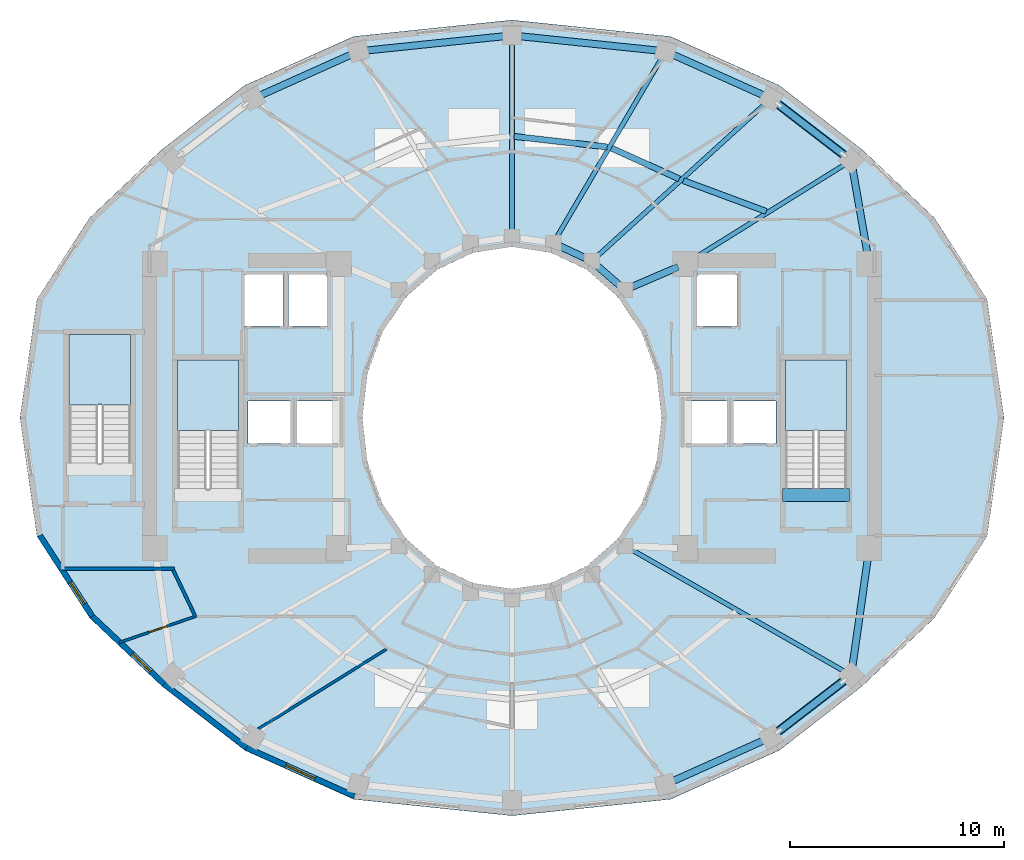
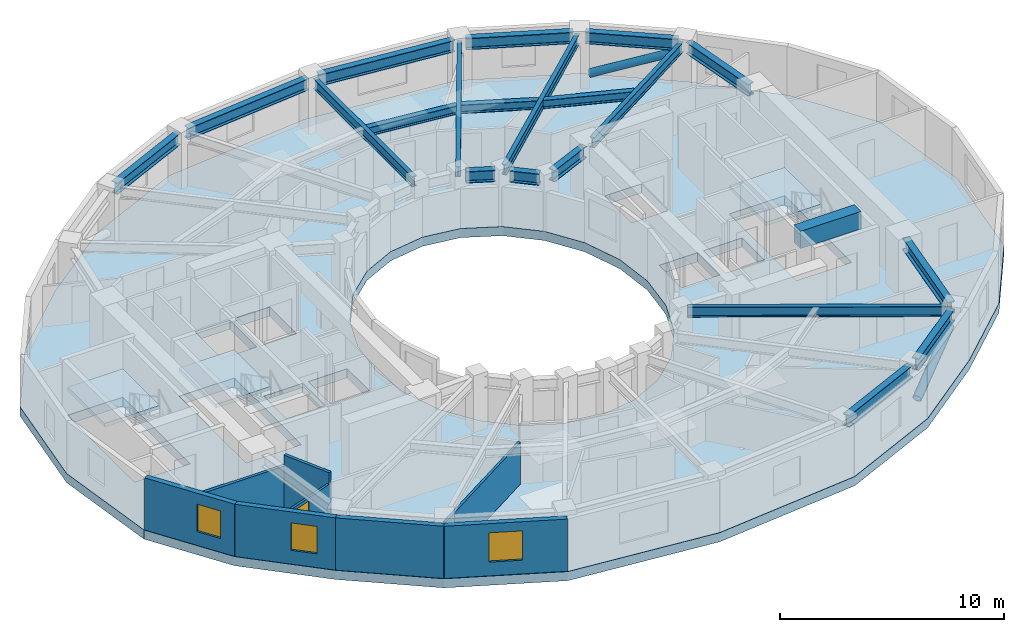
# One storey, part 2 of 9: 21 beams, 8 walls, 4 slabs, 3 windows, 2 members, 1 door, 4 openings, 3 elements without a shape of their own.
"""IFC4 building model written with IfcOpenShell, lengths in metres."""

import ifcopenshell
import ifcopenshell.guid

model = None  # the IFC model being written
_history = None  # IfcOwnerHistory: only IFC2X3 demands one
_inside = {}  # id of a spatial element -> (the spatial element, [elements in it])
_under = {}  # id of a project, library or spatial element -> (it, [spatial elements below it])
_declared = {}  # id of a project -> (the project, [libraries it declares])
_typed = {}  # id of a type object -> (the type object, [elements of that type])
_made_of = {}  # id of a material, layer set ... -> (it, [elements and type objects made of it])


def new_model(schema):
    """Start an empty IFC model of exactly this schema.

    Asked for "IFC4X3", IfcOpenShell would pick the latest addendum, in which some entities
    have other attributes; the version numbers below select the first issue.
    IFC2X3 requires an IfcOwnerHistory on every rooted entity: one is made here for all.
    """
    global model, _history
    if schema == "IFC4X3":
        model = ifcopenshell.file(schema_version=(4, 3, 0, 0))
    else:
        model = ifcopenshell.file(schema=schema)
    _inside.clear()
    _under.clear()
    _declared.clear()
    _typed.clear()
    _made_of.clear()
    _history = None
    if model.schema == "IFC2X3":
        org = make("IfcOrganization", Name="unknown")
        user = make(
            "IfcPersonAndOrganization",
            ThePerson=make("IfcPerson", FamilyName="unknown"),
            TheOrganization=org,
        )
        app = make(
            "IfcApplication",
            ApplicationDeveloper=org,
            Version="unknown",
            ApplicationFullName="unknown",
            ApplicationIdentifier="unknown",
        )
        _history = make(
            "IfcOwnerHistory",
            OwningUser=user,
            OwningApplication=app,
            ChangeAction="ADDED",
            CreationDate=0,
        )
    return model


def make(cls, **values):
    """One entity of the class cls with the attributes given. An attribute that is None is left unset."""
    return model.create_entity(
        cls, **{name: value for name, value in values.items() if value is not None}
    )


def rooted(cls, **values):
    """An entity with a GlobalId (a new one), such as an element, a storey or a relation."""
    return make(cls, GlobalId=ifcopenshell.guid.new(), OwnerHistory=_history, **values)


def si_unit(unit_type, name, prefix=None):
    """IfcSIUnit, for example si_unit("LENGTHUNIT", "METRE", prefix="MILLI")."""
    return make("IfcSIUnit", UnitType=unit_type, Prefix=prefix, Name=name)


def assignment(units):
    """IfcUnitAssignment: the units of a project."""
    return None if units is None else make("IfcUnitAssignment", Units=units)


def point(xyz):
    """IfcCartesianPoint."""
    return None if xyz is None else make("IfcCartesianPoint", Coordinates=xyz)


def direction(xyz):
    """IfcDirection."""
    return None if xyz is None else make("IfcDirection", DirectionRatios=xyz)


def frame(location, z_axis=None, x_axis=None):
    """IfcAxis2Placement3D, a coordinate frame: its origin and axes. An axis left out is left unset."""
    return make(
        "IfcAxis2Placement3D",
        Location=point(location),
        Axis=direction(z_axis),
        RefDirection=direction(x_axis),
    )


def frame_2d(location, x_axis=None):
    """IfcAxis2Placement2D, a coordinate frame in the plane: its origin and x axis."""
    return make(
        "IfcAxis2Placement2D", Location=point(location), RefDirection=direction(x_axis)
    )


def origin():
    """The frame at (0, 0, 0) with its axes left unset."""
    return frame((0.0, 0.0, 0.0))


def origin_2d():
    """The frame at (0, 0) in the plane with its x axis left unset."""
    return frame_2d((0.0, 0.0))


def place(relative_to, where):
    """IfcLocalPlacement: puts the frame where relative to a parent placement (None: the world)."""
    return make(
        "IfcLocalPlacement", PlacementRelTo=relative_to, RelativePlacement=where
    )


def context(
    kind, dimensions, precision=None, world=None, true_north=None, identifier=None
):
    """IfcGeometricRepresentationContext, for example the 3D "Model" context."""
    return make(
        "IfcGeometricRepresentationContext",
        ContextIdentifier=identifier,
        ContextType=kind,
        CoordinateSpaceDimension=dimensions,
        Precision=precision,
        WorldCoordinateSystem=world,
        TrueNorth=true_north,
    )


def subcontext(parent, identifier, kind, view, scale=None):
    """IfcGeometricRepresentationSubContext, for example "Body" below "Model"."""
    return make(
        "IfcGeometricRepresentationSubContext",
        ContextIdentifier=identifier,
        ContextType=kind,
        ParentContext=parent,
        TargetScale=scale,
        TargetView=view,
    )


def project(units=None, contexts=None):
    """IfcProject with its units and contexts."""
    return rooted(
        "IfcProject",
        Name="project",
        RepresentationContexts=contexts,
        UnitsInContext=assignment(units),
    )


def spatial(cls, under=None, at=None, **own):
    """A site, building, storey or space (cls), placed at a placement, below another one or the project."""
    s = rooted(cls, ObjectPlacement=at, **own)
    if under is not None:
        _under.setdefault(under.id(), (under, []))[1].append(s)
    return s


def polyline(points):
    """IfcPolyline through the points."""
    return make("IfcPolyline", Points=[point(p) for p in points])


def profile(cls, at=None, kind="AREA", **sizes):
    """A parametric profile (cls). Its sizes go by their IFC names, for example OverallWidth=200.0."""
    return make(cls, ProfileType=kind, Position=at, **sizes)


def rectangle(**sizes):
    """IfcRectangleProfileDef."""
    return profile("IfcRectangleProfileDef", **sizes)


def hollow_circle(**sizes):
    """IfcCircleHollowProfileDef."""
    return profile("IfcCircleHollowProfileDef", **sizes)


def i_section(**sizes):
    """IfcIShapeProfileDef."""
    return profile("IfcIShapeProfileDef", **sizes)


def outline(outer, holes=None, kind="AREA"):
    """IfcArbitraryClosedProfileDef: a profile drawn as a closed curve; with holes, ...WithVoids."""
    if holes is None:
        return make("IfcArbitraryClosedProfileDef", ProfileType=kind, OuterCurve=outer)
    return make(
        "IfcArbitraryProfileDefWithVoids",
        ProfileType=kind,
        OuterCurve=outer,
        InnerCurves=holes,
    )


def extrude(swept, where, along, depth):
    """IfcExtrudedAreaSolid: the profile swept, set in the frame where, extruded along a direction by depth."""
    return make(
        "IfcExtrudedAreaSolid",
        SweptArea=swept,
        Position=where,
        ExtrudedDirection=direction(along),
        Depth=depth,
    )


def shape(context_of_items, identifier, shape_type, items):
    """IfcShapeRepresentation: the items that make up one representation, for example the "Body"."""
    return make(
        "IfcShapeRepresentation",
        ContextOfItems=context_of_items,
        RepresentationIdentifier=identifier,
        RepresentationType=shape_type,
        Items=items,
    )


def material(Name=None, Category=None):
    """IfcMaterial."""
    return make("IfcMaterial", Name=Name, Category=Category)


def layer(
    of_material, thickness, ventilated=None, Name=None, Category=None, Priority=None
):
    """IfcMaterialLayer: one layer of a wall or slab, of a material (None: an air gap)."""
    return make(
        "IfcMaterialLayer",
        Material=of_material,
        LayerThickness=thickness,
        IsVentilated=ventilated,
        Name=Name,
        Category=Category,
        Priority=Priority,
    )


def layer_set(layers, Name=None):
    """IfcMaterialLayerSet."""
    return make("IfcMaterialLayerSet", MaterialLayers=layers, LayerSetName=Name)


def material_profile(
    of_material, cross_section, Name=None, Category=None, Priority=None
):
    """IfcMaterialProfile: a cross section and its material."""
    return make(
        "IfcMaterialProfile",
        Name=Name,
        Material=of_material,
        Profile=cross_section,
        Priority=Priority,
        Category=Category,
    )


def profile_set(profiles, Name=None, composite=None):
    """IfcMaterialProfileSet."""
    return make(
        "IfcMaterialProfileSet",
        Name=Name,
        MaterialProfiles=profiles,
        CompositeProfile=composite,
    )


def made_of(thing, what):
    """Note that an element or type object is made of a material, layer set ...; save() writes the relation."""
    if what is not None:
        _made_of.setdefault(what.id(), (what, []))[1].append(thing)
    return thing


def type_object(cls, material=None, **own):
    """A type object (cls), such as IfcWallType, which elements share."""
    return made_of(rooted(cls, **own), material)


def element(
    cls,
    number,
    at=None,
    inside=None,
    cuts=None,
    type_object=None,
    material=None,
    context=None,
    identifier="Body",
    shape_type=None,
    held_by="IfcProductDefinitionShape",
    body=None,
    shapes=None,
    **own,
):
    """One element of the class cls, such as IfcWall. Its Tag is "e" and its number.

    at: its placement. inside: the storey or other place that contains it. cuts: it is an
    opening in that element (IfcRelVoidsElement). A single representation is given by context,
    identifier, shape_type and body (its items); several are given by shapes. held_by: the class
    of the entity that holds the representations. save() writes the other relations.
    """
    e = rooted(cls, Tag="e%d" % number, ObjectPlacement=at, **own)
    if body is not None:
        shapes = [shape(context, identifier, shape_type, body)]
    if shapes is not None:
        e.Representation = make(held_by, Representations=shapes)
    if inside is not None:
        _inside.setdefault(inside.id(), (inside, []))[1].append(e)
    if cuts is not None:
        rooted(
            "IfcRelVoidsElement", RelatingBuildingElement=cuts, RelatedOpeningElement=e
        )
    if type_object is not None:
        _typed.setdefault(type_object.id(), (type_object, []))[1].append(e)
    return made_of(e, material)


def fill(opening, filler):
    """IfcRelFillsElement: the door or window that sits in an opening."""
    return rooted(
        "IfcRelFillsElement",
        RelatingOpeningElement=opening,
        RelatedBuildingElement=filler,
    )


def aggregate(whole, parts):
    """IfcRelAggregates: a whole, such as a stair, and the parts it consists of."""
    return rooted("IfcRelAggregates", RelatingObject=whole, RelatedObjects=parts)


def save(model, path):
    """Write the relations noted so far, then the file.

    IfcRelAggregates (storeys below a building ...), IfcRelContainedInSpatialStructure (elements
    in a storey), IfcRelDefinesByType, IfcRelAssociatesMaterial and IfcRelDeclares: one each for
    every whole, place, type object, material and project.
    """
    for whole, parts in _under.values():
        aggregate(whole, parts)
    for where, things in _inside.values():
        rooted(
            "IfcRelContainedInSpatialStructure",
            RelatedElements=things,
            RelatingStructure=where,
        )
    for kind, things in _typed.values():
        rooted("IfcRelDefinesByType", RelatedObjects=things, RelatingType=kind)
    for what, things in _made_of.values():
        rooted("IfcRelAssociatesMaterial", RelatedObjects=things, RelatingMaterial=what)
    for by, libraries in _declared.values():
        rooted("IfcRelDeclares", RelatingContext=by, RelatedDefinitions=libraries)
    model.write(path)


model = new_model("IFC4")

# Units and contexts
model_context = context("Model", 3, precision=1e-05, world=origin(), true_north=direction((0.0, 1.0)))
body_context = subcontext(model_context, "Body", "Model", "MODEL_VIEW")
ifc_project = project(units=[si_unit("LENGTHUNIT", "METRE"), si_unit("AREAUNIT", "SQUARE_METRE"), si_unit("VOLUMEUNIT", "CUBIC_METRE"), si_unit("PLANEANGLEUNIT", "RADIAN"), si_unit("MASSUNIT", "GRAM", prefix="KILO")], contexts=[model_context])

# Site, building, storey
site_placement = place(None, origin())
site = spatial("IfcSite", under=ifc_project, at=site_placement, CompositionType="ELEMENT")
building_placement = place(site_placement, origin())
building = spatial("IfcBuilding", under=site, at=building_placement, Name="Solvane Sanctuary Tower", CompositionType="ELEMENT")
storey_placement = place(building_placement, frame((0.0, 0.0, 143.60009765625)))
storey = spatial("IfcBuildingStorey", under=building, at=storey_placement, Name="L43", CompositionType="ELEMENT", Elevation=143.60009765625)

# Beams
ifc_material_1 = material(Name="Concrete C70/85", Category="concrete")
ifc_material_profile_1 = material_profile(ifc_material_1, rectangle(XDim=0.60009765625, YDim=0.949951171875, at=origin_2d()), Name="RC600X950")
ifc_profile_set_1 = profile_set([ifc_material_profile_1], Name="Concrete C70/85")
beam_type_1 = type_object("IfcBeamType", Name="Beam B-COUPLE RC600X950", PredefinedType="LINTEL", material=ifc_profile_set_1)
beam_1_placement = place(storey_placement, frame((44.64990234375, 19.399169921875, 2.625), z_axis=(1.0, 0.0, 0.0), x_axis=(0.0, 1.0, 0.0)))
element("IfcBeam", 1, at=beam_1_placement, inside=storey, type_object=beam_type_1, Name="L43 ST-2 Stair Floor Landing Trimmer", PredefinedType="LINTEL", context=body_context, shape_type="SweptSolid", body=[
    extrude(rectangle(XDim=0.60009765625, YDim=0.949951171875, at=origin_2d()), origin(), (0.0, 0.0, 1.0), 3.1201171875),
])
ifc_material_2 = material(Name="Steel ASTM A992 Grade 50", Category="steel")
ifc_material_profile_2 = material_profile(ifc_material_2, i_section(OverallWidth=0.214111328125, OverallDepth=0.549072265625, WebThickness=0.0146484375, FlangeThickness=0.023681640625, FilletRadius=0.014892578125, at=origin_2d()), Name="W21X93")
ifc_profile_set_2 = profile_set([ifc_material_profile_2], Name="Steel ASTM A992 Grade 50")
beam_type_2 = type_object("IfcBeamType", Name="Beam B-RAD-Z3 W21X93", PredefinedType="JOIST", material=ifc_profile_set_2)
beam_2_placement = place(storey_placement, frame((40.405517578125, 30.390380859375, 2.603515625), z_axis=(0.84882685523, 0.528670946658, 0.0), x_axis=(-0.528670946658, 0.84882685523, 0.0)))
element("IfcBeam", 2, at=beam_2_placement, inside=storey, type_object=beam_type_2, Name="L43 Radial Composite Floor Beam 01", PredefinedType="JOIST", context=body_context, shape_type="SweptSolid", body=[
    extrude(i_section(OverallWidth=0.214111328125, OverallDepth=0.549072265625, WebThickness=0.0146484375, FlangeThickness=0.023681640625, FilletRadius=0.014892578125, at=origin_2d()), origin(), (0.0, 0.0, 1.0), 8.498046875),
])
beam_3_placement = place(storey_placement, frame((35.937255859375, 30.514892578125, 2.603515625), z_axis=(0.74020423772, 0.672382098558, 0.0), x_axis=(-0.672382098558, 0.74020423772, 0.0)))
element("IfcBeam", 3, at=beam_3_placement, inside=storey, type_object=beam_type_2, Name="L43 Radial Composite Floor Beam 02", PredefinedType="JOIST", context=body_context, shape_type="SweptSolid", body=[
    extrude(i_section(OverallWidth=0.214111328125, OverallDepth=0.549072265625, WebThickness=0.0146484375, FlangeThickness=0.023681640625, FilletRadius=0.014892578125, at=origin_2d()), origin(), (0.0, 0.0, 1.0), 10.7451171875),
])
beam_4_placement = place(storey_placement, frame((34.072265625, 31.413330078125, 2.603515625), z_axis=(0.505243742555, 0.862976686017, 0.0), x_axis=(-0.862976686017, 0.505243742555, 0.0)))
element("IfcBeam", 4, at=beam_4_placement, inside=storey, type_object=beam_type_2, Name="L43 Radial Composite Floor Beam 03", PredefinedType="JOIST", context=body_context, shape_type="SweptSolid", body=[
    extrude(i_section(OverallWidth=0.214111328125, OverallDepth=0.549072265625, WebThickness=0.0146484375, FlangeThickness=0.023681640625, FilletRadius=0.014892578125, at=origin_2d()), origin(), (0.0, 0.0, 1.0), 9.826171875),
])
beam_5_placement = place(storey_placement, frame((32.0, 31.739990234375, 2.603515625), z_axis=(0.0, 1.0, 0.0), x_axis=(-1.0, 0.0, 0.0)))
element("IfcBeam", 5, at=beam_5_placement, inside=storey, type_object=beam_type_2, Name="L43 Radial Composite Floor Beam 04", PredefinedType="JOIST", context=body_context, shape_type="SweptSolid", body=[
    extrude(i_section(OverallWidth=0.214111328125, OverallDepth=0.549072265625, WebThickness=0.0146484375, FlangeThickness=0.023681640625, FilletRadius=0.014892578125, at=origin_2d()), origin(), (0.0, 0.0, 1.0), 8.860107421875),
])
beam_6_placement = place(storey_placement, frame((37.51806640625, 16.87890625, 2.603515625), z_axis=(0.86816302692, -0.496279113694, 0.0), x_axis=(0.496279113694, 0.86816302692, 0.0)))
element("IfcBeam", 6, at=beam_6_placement, inside=storey, type_object=beam_type_2, Name="L43 Radial Composite Floor Beam 14", PredefinedType="JOIST", context=body_context, shape_type="SweptSolid", body=[
    extrude(i_section(OverallWidth=0.214111328125, OverallDepth=0.549072265625, WebThickness=0.0146484375, FlangeThickness=0.023681640625, FilletRadius=0.014892578125, at=origin_2d()), origin(), (0.0, 0.0, 1.0), 11.62841796875),
])
ifc_material_profile_3 = material_profile(ifc_material_2, i_section(OverallWidth=0.324951171875, OverallDepth=0.615966796875, WebThickness=0.013916015625, FlangeThickness=0.021484375, FilletRadius=0.01611328125, at=origin_2d()), Name="W24X117")
ifc_profile_set_3 = profile_set([ifc_material_profile_3], Name="Steel ASTM A992 Grade 50")
beam_type_3 = type_object("IfcBeamType", Name="Beam B-RING-IN2 W24X117", PredefinedType="BEAM", material=ifc_profile_set_3)
beam_7_placement = place(storey_placement, frame((34.2431640625, 31.02490234375, 2.56982421875), z_axis=(0.9051808128, -0.425026700502, 0.0), x_axis=(0.425026700502, 0.9051808128, 0.0)))
element("IfcBeam", 7, at=beam_7_placement, inside=storey, type_object=beam_type_3, Name="L43 Inner Light-Well Ring Beam IC03-IC02", PredefinedType="BEAM", context=body_context, shape_type="SweptSolid", body=[
    extrude(i_section(OverallWidth=0.324951171875, OverallDepth=0.615966796875, WebThickness=0.013916015625, FlangeThickness=0.021484375, FilletRadius=0.01611328125, at=origin_2d()), origin(), (0.0, 0.0, 1.0), 1.297607421875),
])
beam_8_placement = place(storey_placement, frame((35.990234375, 30.10009765625, 2.56982421875), z_axis=(0.754311313851, -0.656516901379, 0.0), x_axis=(0.656516901379, 0.754311313851, 0.0)))
element("IfcBeam", 8, at=beam_8_placement, inside=storey, type_object=beam_type_3, Name="L43 Inner Light-Well Ring Beam IC02-IC01", PredefinedType="BEAM", context=body_context, shape_type="SweptSolid", body=[
    extrude(i_section(OverallWidth=0.324951171875, OverallDepth=0.615966796875, WebThickness=0.013916015625, FlangeThickness=0.021484375, FilletRadius=0.01611328125, at=origin_2d()), origin(), (0.0, 0.0, 1.0), 1.358154296875),
])
beam_9_placement = place(storey_placement, frame((37.591796875, 29.11865234375, 2.56982421875), z_axis=(0.918264067649, 0.395968561966, 0.0), x_axis=(-0.395968561966, 0.918264067649, 0.0)))
element("IfcBeam", 9, at=beam_9_placement, inside=storey, type_object=beam_type_3, Name="L43 Inner Light-Well Ring Beam IC01-CE4", PredefinedType="BEAM", context=body_context, shape_type="SweptSolid", body=[
    extrude(i_section(OverallWidth=0.324951171875, OverallDepth=0.615966796875, WebThickness=0.013916015625, FlangeThickness=0.021484375, FilletRadius=0.01611328125, at=origin_2d()), origin(), (0.0, 0.0, 1.0), 2.371337890625),
])
ifc_material_profile_4 = material_profile(ifc_material_2, i_section(OverallWidth=0.280029296875, OverallDepth=0.462890625, WebThickness=0.0107421875, FlangeThickness=0.017333984375, FilletRadius=0.013916015625, at=origin_2d()), Name="W18X76")
ifc_profile_set_4 = profile_set([ifc_material_profile_4], Name="Steel ASTM A992 Grade 50")
beam_type_4 = type_object("IfcBeamType", Name="Beam B-SEC-JOIST W18X76", PredefinedType="JOIST", material=ifc_profile_set_4)
beam_10_placement = place(storey_placement, frame((32.101318359375, 36.158447265625, 2.646484375), z_axis=(0.993621305354, -0.112768353477, 0.0), x_axis=(0.112768353477, 0.993621305354, 0.0)))
element("IfcBeam", 10, at=beam_10_placement, inside=storey, type_object=beam_type_4, Name="L43 Secondary Circumferential Joist 04-03", PredefinedType="JOIST", context=body_context, shape_type="SweptSolid", body=[
    extrude(i_section(OverallWidth=0.280029296875, OverallDepth=0.462890625, WebThickness=0.0107421875, FlangeThickness=0.017333984375, FilletRadius=0.013916015625, at=origin_2d()), origin(), (0.0, 0.0, 1.0), 4.379638671875),
])
beam_11_placement = place(storey_placement, frame((36.6474609375, 35.61083984375, 2.646484375), z_axis=(0.91050074995, -0.413507417516, 0.0), x_axis=(0.413507417516, 0.91050074995, 0.0)))
element("IfcBeam", 11, at=beam_11_placement, inside=storey, type_object=beam_type_4, Name="L43 Secondary Circumferential Joist 03-02", PredefinedType="JOIST", context=body_context, shape_type="SweptSolid", body=[
    extrude(i_section(OverallWidth=0.280029296875, OverallDepth=0.462890625, WebThickness=0.0107421875, FlangeThickness=0.017333984375, FilletRadius=0.013916015625, at=origin_2d()), origin(), (0.0, 0.0, 1.0), 3.48583984375),
])
beam_12_placement = place(storey_placement, frame((40.009765625, 34.091796875, 2.646484375), z_axis=(0.937258220662, -0.34863595311, 0.0), x_axis=(0.34863595311, 0.937258220662, 0.0)))
element("IfcBeam", 12, at=beam_12_placement, inside=storey, type_object=beam_type_4, Name="L43 Secondary Circumferential Joist 02-01", PredefinedType="JOIST", context=body_context, shape_type="SweptSolid", body=[
    extrude(i_section(OverallWidth=0.280029296875, OverallDepth=0.462890625, WebThickness=0.0107421875, FlangeThickness=0.017333984375, FilletRadius=0.013916015625, at=origin_2d()), origin(), (0.0, 0.0, 1.0), 4.13232421875),
])
ifc_material_profile_5 = material_profile(ifc_material_2, i_section(OverallWidth=0.327880859375, OverallDepth=0.6279296875, WebThickness=0.0166015625, FlangeThickness=0.027587890625, FilletRadius=0.01611328125, at=origin_2d()), Name="W24X146")
ifc_profile_set_5 = profile_set([ifc_material_profile_5], Name="Steel ASTM A992 Grade 50")
beam_type_5 = type_object("IfcBeamType", Name="Beam B-SPAND-Z3 W24X146", PredefinedType="SPANDREL", material=ifc_profile_set_5)
beam_13_placement = place(storey_placement, frame((20.157470703125, 38.04248046875, 2.56396484375), z_axis=(0.912414349424, 0.409267705744, 0.0), x_axis=(-0.409267705744, 0.912414349424, 0.0)))
element("IfcBeam", 13, at=beam_13_placement, inside=storey, type_object=beam_type_5, Name="L43 Perimeter Spandrel Beam TC06-TC05", PredefinedType="SPANDREL", context=body_context, shape_type="SweptSolid", body=[
    extrude(i_section(OverallWidth=0.327880859375, OverallDepth=0.6279296875, WebThickness=0.0166015625, FlangeThickness=0.027587890625, FilletRadius=0.01611328125, at=origin_2d()), origin(), (0.0, 0.0, 1.0), 4.831787109375),
])
for number, where, z_axis, x_axis, name in (
    (14, (25.10009765625, 40.16357421875, 2.56396484375), (0.994652761118, 0.103275770632, 0.0), (-0.103275770632, 0.994652761118, 0.0), "L43 Perimeter Spandrel Beam TC05-TC04"),
    (15, (32.278564453125, 40.85107421875, 2.56396484375), (0.994652761118, -0.103275770632, 0.0), (0.103275770632, 0.994652761118, 0.0), "L43 Perimeter Spandrel Beam TC04-TC03"),
):
    element("IfcBeam", number, at=place(storey_placement, frame(where, z_axis=z_axis, x_axis=x_axis)), inside=storey, type_object=beam_type_5, Name=name, PredefinedType="SPANDREL", context=body_context, shape_type="SweptSolid", body=[
        extrude(i_section(OverallWidth=0.327880859375, OverallDepth=0.6279296875, WebThickness=0.0166015625, FlangeThickness=0.027587890625, FilletRadius=0.01611328125, at=origin_2d()), origin(), (0.0, 0.0, 1.0), 6.656982421875),
    ])
beam_14_placement = place(storey_placement, frame((39.433837890625, 40.02001953125, 2.56396484375), z_axis=(0.912414349424, -0.409267705744, 0.0), x_axis=(0.409267705744, 0.912414349424, 0.0)))
element("IfcBeam", 16, at=beam_14_placement, inside=storey, type_object=beam_type_5, Name="L43 Perimeter Spandrel Beam TC03-TC02", PredefinedType="SPANDREL", context=body_context, shape_type="SweptSolid", body=[
    extrude(i_section(OverallWidth=0.327880859375, OverallDepth=0.6279296875, WebThickness=0.0166015625, FlangeThickness=0.027587890625, FilletRadius=0.01611328125, at=origin_2d()), origin(), (0.0, 0.0, 1.0), 4.831787109375),
])
beam_15_placement = place(storey_placement, frame((44.31982421875, 37.757080078125, 2.56396484375), z_axis=(0.792020773873, -0.610494139001, 0.0), x_axis=(0.610494139001, 0.792020773873, 0.0)))
element("IfcBeam", 17, at=beam_15_placement, inside=storey, type_object=beam_type_5, Name="L43 Perimeter Spandrel Beam TC02-TC01", PredefinedType="SPANDREL", context=body_context, shape_type="SweptSolid", body=[
    extrude(i_section(OverallWidth=0.327880859375, OverallDepth=0.6279296875, WebThickness=0.0166015625, FlangeThickness=0.027587890625, FilletRadius=0.01611328125, at=origin_2d()), origin(), (0.0, 0.0, 1.0), 4.185302734375),
])
beam_16_placement = place(storey_placement, frame((47.90478515625, 34.75537109375, 2.56396484375), z_axis=(0.171967263087, -0.985102664917, 0.0), x_axis=(0.985102664917, 0.171967263087, 0.0)))
element("IfcBeam", 18, at=beam_16_placement, inside=storey, type_object=beam_type_5, Name="L43 Perimeter Spandrel Beam TC01-CE3", PredefinedType="SPANDREL", context=body_context, shape_type="SweptSolid", body=[
    extrude(i_section(OverallWidth=0.327880859375, OverallDepth=0.6279296875, WebThickness=0.0166015625, FlangeThickness=0.027587890625, FilletRadius=0.01611328125, at=origin_2d()), origin(), (0.0, 0.0, 1.0), 4.34423828125),
])
beam_17_placement = place(storey_placement, frame((39.433837890625, 5.97998046875, 2.56396484375), z_axis=(0.912414349424, 0.409267705744, 0.0), x_axis=(-0.409267705744, 0.912414349424, 0.0)))
element("IfcBeam", 19, at=beam_17_placement, inside=storey, type_object=beam_type_5, Name="L43 Perimeter Spandrel Beam TC12-TC13", PredefinedType="SPANDREL", context=body_context, shape_type="SweptSolid", body=[
    extrude(i_section(OverallWidth=0.327880859375, OverallDepth=0.6279296875, WebThickness=0.0166015625, FlangeThickness=0.027587890625, FilletRadius=0.01611328125, at=origin_2d()), origin(), (0.0, 0.0, 1.0), 4.831787109375),
])
beam_18_placement = place(storey_placement, frame((44.31982421875, 8.242919921875, 2.56396484375), z_axis=(0.792020773873, 0.610494139001, 0.0), x_axis=(-0.610494139001, 0.792020773873, 0.0)))
element("IfcBeam", 20, at=beam_18_placement, inside=storey, type_object=beam_type_5, Name="L43 Perimeter Spandrel Beam TC13-TC14", PredefinedType="SPANDREL", context=body_context, shape_type="SweptSolid", body=[
    extrude(i_section(OverallWidth=0.327880859375, OverallDepth=0.6279296875, WebThickness=0.0166015625, FlangeThickness=0.027587890625, FilletRadius=0.01611328125, at=origin_2d()), origin(), (0.0, 0.0, 1.0), 4.185302734375),
])
beam_19_placement = place(storey_placement, frame((47.89599609375, 11.24609375, 2.56396484375), z_axis=(0.140798255486, 0.990038307972, 0.0), x_axis=(-0.990038307972, 0.140798255486, 0.0)))
element("IfcBeam", 21, at=beam_19_placement, inside=storey, type_object=beam_type_5, Name="L43 Perimeter Spandrel Beam TC14-CE2", PredefinedType="SPANDREL", context=body_context, shape_type="SweptSolid", body=[
    extrude(i_section(OverallWidth=0.327880859375, OverallDepth=0.6279296875, WebThickness=0.0166015625, FlangeThickness=0.027587890625, FilletRadius=0.01611328125, at=origin_2d()), origin(), (0.0, 0.0, 1.0), 5.430908203125),
])

# Members
ifc_material_profile_6 = material_profile(ifc_material_2, hollow_circle(Radius=0.202880859375, WallThickness=0.012451171875, at=origin_2d()), Name="CHS406X12.5")
ifc_profile_set_6 = profile_set([ifc_material_profile_6], Name="Steel ASTM A992 Grade 50")
member_type = type_object("IfcMemberType", Name="Member M-TUBE-Z3 CHS406X12.5", PredefinedType="BRACE", material=ifc_profile_set_6)
for number, where, z_axis, x_axis, name in (
    (22, (44.465087890625, 37.645263671875, 0.5625), (0.73686018058, -0.568005062922, 0.366616042707), (0.610513708364, 0.792005689311, 0.0), "L43 Perimeter Braced-Tube Diagonal NE"),
    (23, (44.465087890625, 8.354736328125, 0.5625), (0.73686018058, 0.568005062922, 0.366616042707), (-0.610513708364, 0.792005689311, 0.0), "L43 Perimeter Braced-Tube Diagonal SE"),
):
    element("IfcMember", number, at=place(storey_placement, frame(where, z_axis=z_axis, x_axis=x_axis)), inside=storey, type_object=member_type, Name=name, PredefinedType="BRACE", context=body_context, shape_type="SweptSolid", body=[
        extrude(hollow_circle(Radius=0.202880859375, WallThickness=0.012451171875, at=origin_2d()), origin(), (0.0, 0.0, 1.0), 4.104736328125),
    ])

# Stair, slab
ifc_material_3 = material(Name="Concrete C45/55", Category="concrete")
stair_type = type_object("IfcStairType", Name="Stair ST-TOW", PredefinedType="HALF_TURN_STAIR", material=ifc_material_3)
stair_1_placement = place(storey_placement, origin())
stair_1 = element("IfcStair", 24, at=stair_1_placement, inside=storey, type_object=stair_type, Name="L43 Exit Stair ST-1 West Core", PredefinedType="HALF_TURN_STAIR")
ifc_layer_1 = layer(ifc_material_3, 0.199951171875, Name="Concrete C45/55")
ifc_layer_set_1 = layer_set([ifc_layer_1], Name="Concrete C45/55")
slab_type_1 = type_object("IfcSlabType", Name="Slab SL-LAND-180", PredefinedType="LANDING", material=ifc_layer_set_1)
slab_1_placement = place(storey_placement, frame((0.0, 0.0, 1.349853515625)))
slab_1 = element("IfcSlab", 25, at=slab_1_placement, type_object=slab_type_1, Name="ST-1 landing 1", PredefinedType="LANDING", context=body_context, shape_type="SweptSolid", body=[
    extrude(outline(polyline([(19.219970703125, 22.39990234375), (19.219970703125, 25.699951171875), (16.360107421875, 25.699951171875), (16.360107421875, 22.39990234375), (19.219970703125, 22.39990234375)])), origin(), (0.0, 0.0, 1.0), 0.199951171875),
])
aggregate(stair_1, [slab_1])

stair_2_placement = place(storey_placement, origin())
stair_2 = element("IfcStair", 26, at=stair_2_placement, inside=storey, type_object=stair_type, Name="L43 Exit Stair ST-2 East Core", PredefinedType="HALF_TURN_STAIR")
slab_2_placement = place(storey_placement, frame((0.0, 0.0, 1.349853515625)))
slab_2 = element("IfcSlab", 27, at=slab_2_placement, type_object=slab_type_1, Name="ST-2 landing 1", PredefinedType="LANDING", context=body_context, shape_type="SweptSolid", body=[
    extrude(outline(polyline([(47.639892578125, 22.39990234375), (47.639892578125, 25.699951171875), (44.780029296875, 25.699951171875), (44.780029296875, 22.39990234375), (47.639892578125, 22.39990234375)])), origin(), (0.0, 0.0, 1.0), 0.199951171875),
])
aggregate(stair_2, [slab_2])

stair_3_placement = place(storey_placement, origin())
stair_3 = element("IfcStair", 28, at=stair_3_placement, inside=storey, type_object=stair_type, Name="L43 Exit Stair ST-3 Pilgrim Tower Stair", PredefinedType="HALF_TURN_STAIR")
slab_3_placement = place(storey_placement, frame((0.0, 0.0, 1.349853515625)))
slab_3 = element("IfcSlab", 29, at=slab_3_placement, type_object=slab_type_1, Name="ST-3 landing 1", PredefinedType="LANDING", context=body_context, shape_type="SweptSolid", body=[
    extrude(outline(polyline([(14.159912109375, 23.60009765625), (14.159912109375, 26.89990234375), (11.300048828125, 26.89990234375), (11.300048828125, 23.60009765625), (14.159912109375, 23.60009765625)])), origin(), (0.0, 0.0, 1.0), 0.199951171875),
])
aggregate(stair_3, [slab_3])

# Slab
ifc_material_4 = material(Name="Concrete C60/75", Category="concrete")
ifc_layer_2 = layer(ifc_material_4, 0.5, Name="Concrete C60/75")
ifc_layer_set_2 = layer_set([ifc_layer_2], Name="Concrete C60/75")
slab_type_2 = type_object("IfcSlabType", Name="Slab SL-XFER-500", PredefinedType="FLOOR", material=ifc_layer_set_2)
slab_4_placement = place(storey_placement, frame((0.0, 0.0, -0.5)))
element("IfcSlab", 30, at=slab_4_placement, inside=storey, type_object=slab_type_2, Name="L43 Primary Structural Slab", PredefinedType="FLOOR", context=body_context, shape_type="SweptSolid", body=[
    extrude(outline(polyline([(55.0, 23.0), (54.205322265625, 28.54150390625), (51.7392578125, 32.360107421875), (48.368896484375, 35.54345703125), (44.489013671875, 38.5458984375), (39.410400390625, 40.82958984375), (32.0, 41.60009765625), (24.589599609375, 40.82958984375), (19.510986328125, 38.5458984375), (15.631103515625, 35.54345703125), (12.2607421875, 32.360107421875), (9.794677734375, 28.54150390625), (9.0, 23.0), (9.794677734375, 17.45849609375), (12.2607421875, 13.639892578125), (15.631103515625, 10.45654296875), (19.510986328125, 7.4541015625), (24.589599609375, 5.17041015625), (32.0, 4.39990234375), (39.410400390625, 5.17041015625), (44.489013671875, 7.4541015625), (48.368896484375, 10.45654296875), (51.7392578125, 13.639892578125), (54.205322265625, 17.45849609375), (55.0, 23.0)]), holes=[polyline([(38.761474609375, 20.929443359375), (38.062255859375, 19.0), (36.94970703125, 17.343017578125), (35.5, 16.07177734375), (33.811767578125, 15.272705078125), (32.0, 15.0), (30.188232421875, 15.272705078125), (28.5, 16.07177734375), (27.05029296875, 17.343017578125), (25.937744140625, 19.0), (25.238525390625, 20.929443359375), (25.0, 23.0), (25.238525390625, 25.070556640625), (25.937744140625, 27.0), (27.05029296875, 28.656982421875), (28.5, 29.92822265625), (30.188232421875, 30.727294921875), (32.0, 31.0), (33.811767578125, 30.727294921875), (35.5, 29.92822265625), (36.94970703125, 28.656982421875), (38.062255859375, 27.0), (38.761474609375, 25.070556640625), (39.0, 23.0), (38.761474609375, 20.929443359375)]), polyline([(16.360107421875, 19.699951171875), (16.360107421875, 25.699951171875), (19.219970703125, 25.699951171875), (19.219970703125, 19.699951171875), (16.360107421875, 19.699951171875)]), polyline([(44.780029296875, 19.699951171875), (44.780029296875, 25.699951171875), (47.639892578125, 25.699951171875), (47.639892578125, 19.699951171875), (44.780029296875, 19.699951171875)]), polyline([(11.300048828125, 20.89990234375), (11.300048828125, 26.89990234375), (14.159912109375, 26.89990234375), (14.159912109375, 20.89990234375), (11.300048828125, 20.89990234375)]), polyline([(19.64990234375, 23.800048828125), (21.64990234375, 23.800048828125), (21.64990234375, 21.800048828125), (19.64990234375, 21.800048828125), (19.64990234375, 23.800048828125)]), polyline([(42.35009765625, 23.800048828125), (44.35009765625, 23.800048828125), (44.35009765625, 21.800048828125), (42.35009765625, 21.800048828125), (42.35009765625, 23.800048828125)]), polyline([(21.949951171875, 23.800048828125), (23.949951171875, 23.800048828125), (23.949951171875, 21.800048828125), (21.949951171875, 21.800048828125), (21.949951171875, 23.800048828125)]), polyline([(40.050048828125, 23.800048828125), (42.050048828125, 23.800048828125), (42.050048828125, 21.800048828125), (40.050048828125, 21.800048828125), (40.050048828125, 23.800048828125)]), polyline([(19.5, 29.699951171875), (21.300048828125, 29.699951171875), (21.300048828125, 27.300048828125), (19.5, 27.300048828125), (19.5, 29.699951171875)]), polyline([(21.550048828125, 29.699951171875), (23.35009765625, 29.699951171875), (23.35009765625, 27.300048828125), (21.550048828125, 27.300048828125), (21.550048828125, 29.699951171875)]), polyline([(40.64990234375, 29.699951171875), (42.550048828125, 29.699951171875), (42.550048828125, 27.300048828125), (40.64990234375, 27.300048828125), (40.64990234375, 29.699951171875)])]), origin(), (0.0, 0.0, 1.0), 0.5),
])

# Walls
ifc_material_5 = material(Name="Acoustic Gypsum Partition Board")
ifc_layer_3 = layer(ifc_material_5, 0.14990234375, Name="Acoustic Gypsum Partition Board")
ifc_layer_set_3 = layer_set([ifc_layer_3], Name="Acoustic Gypsum Partition Board")
wall_type_1 = type_object("IfcWallType", Name="Wall W-CORR-150", PredefinedType="PARTITIONING", material=ifc_layer_set_3)
wall_1_placement = place(storey_placement, frame((10.9599609375, 15.949951171875, 0.0), z_axis=(0.0, 0.0, 1.0), x_axis=(1.0, 0.0, 0.0)))
element("IfcWall", 31, at=wall_1_placement, inside=storey, type_object=wall_type_1, Name="L43 SW Corner Closer 3", PredefinedType="PARTITIONING", context=body_context, shape_type="SweptSolid", body=[
    extrude(rectangle(XDim=5.260009765625, YDim=0.14990234375, at=frame_2d((2.6298828125, 0.0))), origin(), (0.0, 0.0, 1.0), 2.219970703125),
])
wall_2_placement = place(storey_placement, frame((17.2216796875, 13.6748046875, 0.0), z_axis=(0.0, 0.0, 1.0), x_axis=(-0.431973389813, 0.901886351207, 0.0)))
element("IfcWall", 32, at=wall_2_placement, inside=storey, type_object=wall_type_1, Name="L43 SW Corner Wing Wall", PredefinedType="PARTITIONING", context=body_context, shape_type="SweptSolid", body=[
    extrude(rectangle(XDim=2.45166015625, YDim=0.14990234375, at=frame_2d((1.225830078125, 0.0))), origin(), (0.0, 0.0, 1.0), 2.85498046875),
])

# Wall, opening, window
ifc_material_6 = material(Name="Precast concrete C40/50", Category="concrete")
ifc_layer_4 = layer(ifc_material_6, 0.260009765625, Name="Precast concrete C40/50")
ifc_layer_set_4 = layer_set([ifc_layer_4], Name="Precast concrete C40/50")
wall_type_2 = type_object("IfcWallType", Name="Wall W-EXT-250", PredefinedType="STANDARD", material=ifc_layer_set_4)
wall_3_placement = place(storey_placement, frame((9.9296875, 17.50341796875, 0.0), z_axis=(0.0, 0.0, 1.0), x_axis=(0.543358984534, -0.839500454989, 0.0)))
wall_3 = element("IfcWall", 33, at=wall_3_placement, inside=storey, type_object=wall_type_2, Name="L43 Ceramic-Printed Facade Wall 13", PredefinedType="STANDARD", context=body_context, shape_type="SweptSolid", body=[
    extrude(rectangle(XDim=4.51123046875, YDim=0.260009765625, at=frame_2d((2.255615234375, 0.0))), origin(), (0.0, 0.0, 1.0), 2.849853515625),
])
opening_1_placement = place(wall_3_placement, frame((2.615478515625, 0.0, 0.75)))
opening_1 = element("IfcOpeningElement", 34, at=opening_1_placement, cuts=wall_3, Name="Opening WN-OPER-1200", PredefinedType="OPENING", context=body_context, shape_type="SweptSolid", body=[
    extrude(rectangle(XDim=1.199951171875, YDim=1.5, at=frame_2d((0.60009765625, 0.75))), frame((0.0, 0.139892578125, 0.0), z_axis=(0.0, -1.0, 0.0), x_axis=(1.0, 0.0, 0.0)), (0.0, 0.0, 1.0), 0.280029296875),
])
ifc_material_7 = material(Name="Dark Ceramic-Fritted Low-E Glass", Category="glass")
window_type_1 = type_object("IfcWindowType", Name="Window WN-OPER-1200", PartitioningType="SINGLE_PANEL", PredefinedType="WINDOW", material=ifc_material_7)
window_1_placement = place(opening_1_placement, origin())
window_1 = element("IfcWindow", 35, at=window_1_placement, inside=storey, type_object=window_type_1, Name="L43 Operable Facade Window 13", OverallHeight=1.5, OverallWidth=1.199951171875, PartitioningType="SINGLE_PANEL", PredefinedType="WINDOW", context=body_context, shape_type="SweptSolid", body=[
    extrude(rectangle(XDim=1.199951171875, YDim=1.5, at=frame_2d((0.60009765625, 0.75))), frame((0.0, 0.030029296875, 0.0), z_axis=(0.0, -1.0, 0.0), x_axis=(1.0, 0.0, 0.0)), (0.0, 0.0, 1.0), 0.06005859375),
])
fill(opening_1, window_1)

wall_4_placement = place(storey_placement, frame((12.380859375, 13.71630859375, 0.0), z_axis=(0.0, 0.0, 1.0), x_axis=(0.727667301037, -0.68593024354, 0.0)))
wall_4 = element("IfcWall", 36, at=wall_4_placement, inside=storey, type_object=wall_type_2, Name="L43 Ceramic-Printed Facade Wall 14", PredefinedType="STANDARD", context=body_context, shape_type="SweptSolid", body=[
    extrude(rectangle(XDim=4.603515625, YDim=0.260009765625, at=frame_2d((2.3017578125, 0.0))), origin(), (0.0, 0.0, 1.0), 2.849853515625),
])
opening_2_placement = place(wall_4_placement, frame((2.5595703125, 0.0, 0.75)))
opening_2 = element("IfcOpeningElement", 37, at=opening_2_placement, cuts=wall_4, Name="Opening WN-OPER-1200", PredefinedType="OPENING", context=body_context, shape_type="SweptSolid", body=[
    extrude(rectangle(XDim=1.199951171875, YDim=1.5, at=frame_2d((0.60009765625, 0.75))), frame((0.0, 0.139892578125, 0.0), z_axis=(0.0, -1.0, 0.0), x_axis=(1.0, 0.0, 0.0)), (0.0, 0.0, 1.0), 0.280029296875),
])
window_2_placement = place(opening_2_placement, origin())
window_2 = element("IfcWindow", 38, at=window_2_placement, inside=storey, type_object=window_type_1, Name="L43 Operable Facade Window 14", OverallHeight=1.5, OverallWidth=1.199951171875, PartitioningType="SINGLE_PANEL", PredefinedType="WINDOW", context=body_context, shape_type="SweptSolid", body=[
    extrude(rectangle(XDim=1.199951171875, YDim=1.5, at=frame_2d((0.60009765625, 0.75))), frame((0.0, 0.030029296875, 0.0), z_axis=(0.0, -1.0, 0.0), x_axis=(1.0, 0.0, 0.0)), (0.0, 0.0, 1.0), 0.06005859375),
])
fill(opening_2, window_2)

# Wall
wall_5_placement = place(storey_placement, frame((15.730712890625, 10.55859375, 0.0), z_axis=(0.0, 0.0, 1.0), x_axis=(0.791460185804, -0.611220724687, 0.0)))
element("IfcWall", 39, at=wall_5_placement, inside=storey, type_object=wall_type_2, Name="L43 Ceramic-Printed Facade Wall 15", PredefinedType="STANDARD", context=body_context, shape_type="SweptSolid", body=[
    extrude(rectangle(XDim=4.872314453125, YDim=0.260009765625, at=frame_2d((2.43603515625, 0.0))), origin(), (0.0, 0.0, 1.0), 2.849853515625),
])

# Wall, opening, window
wall_6_placement = place(storey_placement, frame((19.5869140625, 7.58056640625, 0.0), z_axis=(0.0, 0.0, 1.0), x_axis=(0.912353637112, -0.409403029847, 0.0)))
wall_6 = element("IfcWall", 40, at=wall_6_placement, inside=storey, type_object=wall_type_2, Name="L43 Ceramic-Printed Facade Wall 16", PredefinedType="STANDARD", context=body_context, shape_type="SweptSolid", body=[
    extrude(rectangle(XDim=5.53271484375, YDim=0.260009765625, at=frame_2d((2.766357421875, 0.0))), origin(), (0.0, 0.0, 1.0), 2.849853515625),
])
opening_3_placement = place(wall_6_placement, frame((2.016357421875, 0.0, 0.75)))
opening_3 = element("IfcOpeningElement", 41, at=opening_3_placement, cuts=wall_6, Name="Opening WN-OPER-1500", PredefinedType="OPENING", context=body_context, shape_type="SweptSolid", body=[
    extrude(rectangle(XDim=1.5, YDim=1.60009765625, at=frame_2d((0.75, 0.800048828125))), frame((0.0, 0.139892578125, 0.0), z_axis=(0.0, -1.0, 0.0), x_axis=(1.0, 0.0, 0.0)), (0.0, 0.0, 1.0), 0.280029296875),
])
window_type_2 = type_object("IfcWindowType", Name="Window WN-OPER-1500", PartitioningType="SINGLE_PANEL", PredefinedType="WINDOW", material=ifc_material_7)
window_3_placement = place(opening_3_placement, origin())
window_3 = element("IfcWindow", 42, at=window_3_placement, inside=storey, type_object=window_type_2, Name="L43 Operable Facade Window 16", OverallHeight=1.60009765625, OverallWidth=1.5, PartitioningType="SINGLE_PANEL", PredefinedType="WINDOW", context=body_context, shape_type="SweptSolid", body=[
    extrude(rectangle(XDim=1.5, YDim=1.60009765625, at=frame_2d((0.75, 0.800048828125))), frame((0.0, 0.030029296875, 0.0), z_axis=(0.0, -1.0, 0.0), x_axis=(1.0, 0.0, 0.0)), (0.0, 0.0, 1.0), 0.06005859375),
])
fill(opening_3, window_3)

# Wall, opening, door
ifc_layer_5 = layer(ifc_material_5, 0.1201171875, Name="Acoustic Gypsum Partition Board")
ifc_layer_set_5 = layer_set([ifc_layer_5], Name="Acoustic Gypsum Partition Board")
wall_type_3 = type_object("IfcWallType", Name="Wall W-MOV-100", PredefinedType="MOVABLE", material=ifc_layer_set_5)
wall_7_placement = place(storey_placement, frame((17.247314453125, 13.736328125, 0.0), z_axis=(0.0, 0.0, 1.0), x_axis=(-0.945683523506, -0.325088716151, 0.0)))
wall_7 = element("IfcWall", 43, at=wall_7_placement, inside=storey, type_object=wall_type_3, Name="L43 SW Corner Suite Partition", PredefinedType="MOVABLE", context=body_context, shape_type="SweptSolid", body=[
    extrude(rectangle(XDim=3.812744140625, YDim=0.1201171875, at=frame_2d((1.90625, 0.0))), origin(), (0.0, 0.0, 1.0), 2.219970703125),
])
opening_4_placement = place(wall_7_placement, frame((1.4814453125, 0.0, 0.0)))
opening_4 = element("IfcOpeningElement", 44, at=opening_4_placement, cuts=wall_7, Name="Opening D-L43-19", PredefinedType="OPENING", context=body_context, shape_type="SweptSolid", body=[
    extrude(rectangle(XDim=0.85009765625, YDim=2.050048828125, at=frame_2d((0.425048828125, 1.02490234375))), frame((0.0, 0.070068359375, 0.0), z_axis=(0.0, -1.0, 0.0), x_axis=(1.0, 0.0, 0.0)), (0.0, 0.0, 1.0), 0.14013671875),
])
ifc_material_8 = material(Name="Architectural Stainless Steel 316", Category="steel")
door_type = type_object("IfcDoorType", Name="Door D-RISER", OperationType="NOTDEFINED", PredefinedType="DOOR", material=ifc_material_8)
door_placement = place(opening_4_placement, origin())
door = element("IfcDoor", 45, at=door_placement, inside=storey, type_object=door_type, Name="L43 SW Corner Suite Door", OperationType="SINGLE_SWING_RIGHT", OverallHeight=2.050048828125, OverallWidth=0.85009765625, PredefinedType="DOOR", context=body_context, shape_type="SweptSolid", body=[
    extrude(rectangle(XDim=0.85009765625, YDim=2.050048828125, at=frame_2d((0.425048828125, 1.02490234375))), frame((0.0, 0.02490234375, 0.0), z_axis=(0.0, -1.0, 0.0), x_axis=(1.0, 0.0, 0.0)), (0.0, 0.0, 1.0), 0.050048828125),
])
fill(opening_4, door)

# Wall
ifc_layer_6 = layer(ifc_material_5, 0.125, Name="Acoustic Gypsum Partition Board")
ifc_layer_set_6 = layer_set([ifc_layer_6], Name="Acoustic Gypsum Partition Board")
wall_type_4 = type_object("IfcWallType", Name="Wall W-PART-125", PredefinedType="PARTITIONING", material=ifc_layer_set_6)
wall_8_placement = place(storey_placement, frame((26.125244140625, 12.18359375, 0.0), z_axis=(0.0, 0.0, 1.0), x_axis=(-0.849008457073, -0.528379257559, 0.0)))
element("IfcWall", 46, at=wall_8_placement, inside=storey, type_object=wall_type_4, Name="L43 Radial Compartment Wall 240", PredefinedType="PARTITIONING", context=body_context, shape_type="SweptSolid", body=[
    extrude(rectangle(XDim=7.076904296875, YDim=0.125, at=frame_2d((3.53857421875, 0.0))), origin(), (0.0, 0.0, 1.0), 2.298828125),
])

save(model, "model.ifc")
